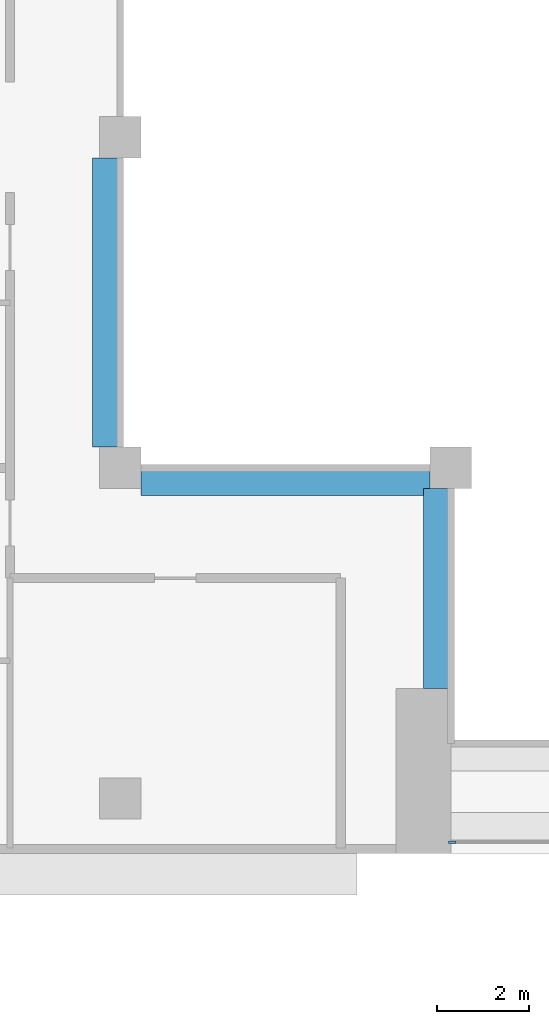
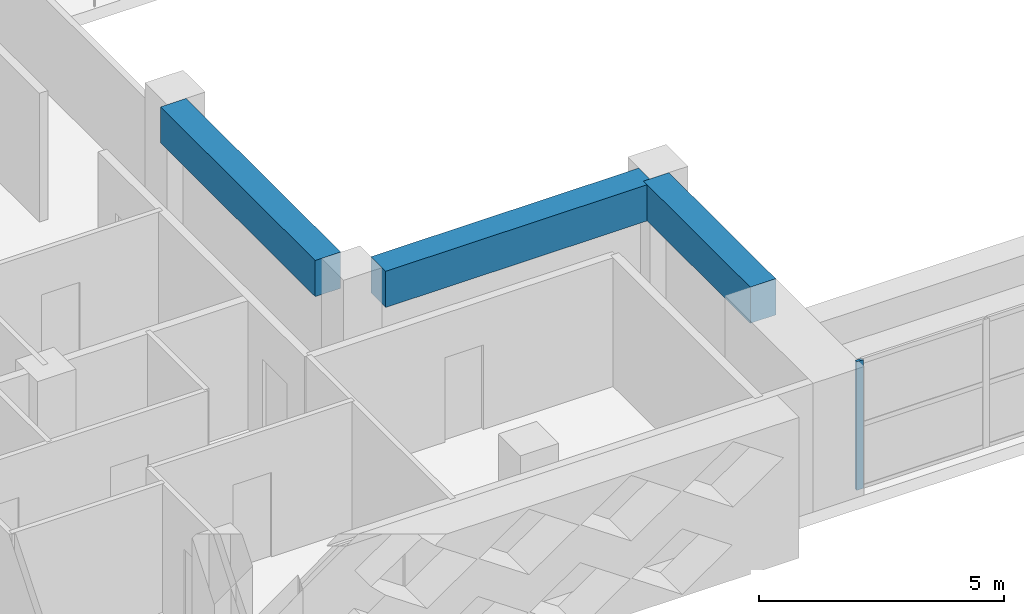
# One storey, part 2 of 20: 3 beams, 1 member, 1 element without a shape of its own.
"""IFC4 building model written with IfcOpenShell, lengths in metres."""

from ifc_helpers import new_model, si_unit, direction, frame, origin, origin_2d, place, context, subcontext, project, spatial, rectangle, extrude, source, transform, mapped, material, layer, layer_set, material_profile, profile_set, type_object, element, aggregate, save


model = new_model("IFC4")

# Units and contexts
model_context = context("Model", 3, precision=1e-05, world=origin(), true_north=direction((0.0, 1.0)))
body_context = subcontext(model_context, "Body", "Model", "MODEL_VIEW")
ifc_project = project(units=[si_unit("LENGTHUNIT", "METRE"), si_unit("AREAUNIT", "SQUARE_METRE"), si_unit("VOLUMEUNIT", "CUBIC_METRE"), si_unit("PLANEANGLEUNIT", "RADIAN"), si_unit("MASSUNIT", "GRAM", prefix="KILO")], contexts=[model_context])

# Site, building, storey
site_placement = place(None, origin())
site = spatial("IfcSite", under=ifc_project, at=site_placement, CompositionType="ELEMENT")
building_placement = place(site_placement, origin())
building = spatial("IfcBuilding", under=site, at=building_placement, Name="Saffron Iwan Residences", CompositionType="ELEMENT")
storey_placement = place(building_placement, frame((0.0, 0.0, 185.0)))
storey = spatial("IfcBuildingStorey", under=building, at=storey_placement, Name="L49", CompositionType="ELEMENT", Elevation=185.0)

# Beams
ifc_material_1 = material(Name="Concrete C50/60", Category="concrete")
ifc_material_profile_1 = material_profile(ifc_material_1, rectangle(XDim=0.60009765625, YDim=0.89990234375, at=origin_2d()), Name="RC 600x900")
ifc_profile_set_1 = profile_set([ifc_material_profile_1], Name="Concrete C50/60")
beam_type = type_object("IfcBeamType", Name="BEAM RC 600x900 C50/60 TOP 3200", PredefinedType="BEAM", material=ifc_profile_set_1)
shared_shape_1 = source(origin(), body_context, "Body", "SweptSolid", [
    extrude(rectangle(XDim=0.60009765625, YDim=0.89990234375, at=origin_2d()), origin(), (0.0, 0.0, 1.0), 4.35009765625),
])
beam_placement = place(storey_placement, frame((42.89990234375, 43.199951171875, 2.75), z_axis=(0.0, 1.0, 0.0), x_axis=(-1.0, 0.0, 0.0)))
element("IfcBeam", 1, at=beam_placement, inside=storey, type_object=beam_type, Name="Atrium edge beam", PredefinedType="BEAM", context=body_context, shape_type="MappedRepresentation", body=[
    mapped(shared_shape_1, transform((0.0, 0.0, 0.0))),
])
shared_shape_2 = source(origin(), body_context, "Body", "SweptSolid", [
    extrude(rectangle(XDim=0.60009765625, YDim=0.89990234375, at=origin_2d()), origin(), (0.0, 0.0, 1.0), 6.300048828125),
])
for number, where, z_axis, x_axis, name in (
    (2, (42.75, 47.699951171875, 2.75), (-1.0, 0.0, 0.0), (0.0, -1.0, 0.0), "Atrium edge beam"),
    (3, (35.699951171875, 48.449951171875, 2.75), (0.0, 1.0, 0.0), (-1.0, 0.0, 0.0), "Atrium edge beam"),
):
    element("IfcBeam", number, at=place(storey_placement, frame(where, z_axis=z_axis, x_axis=x_axis)), inside=storey, type_object=beam_type, Name=name, PredefinedType="BEAM", context=body_context, shape_type="MappedRepresentation", body=[
        mapped(shared_shape_2, transform((0.0, 0.0, 0.0))),
    ])

# Curtain wall, member
ifc_material_2 = material(Name="Clear glass, laminated double glazed", Category="glass")
ifc_layer = layer(ifc_material_2, 0.199951171875)
ifc_layer_set = layer_set([ifc_layer], Name="Clear glass, laminated double glazed")
curtain_wall_type = type_object("IfcCurtainWallType", Name="CW-B IWAN PORTAL", PredefinedType="NOTDEFINED", material=ifc_layer_set)
curtain_wall_placement = place(storey_placement, origin())
curtain_wall = element("IfcCurtainWall", 4, at=curtain_wall_placement, inside=storey, type_object=curtain_wall_type, Name="Iwan portal glazing L49.1", PredefinedType="NOTDEFINED")
ifc_material_3 = material(Name="Aluminium 6063-T6", Category="aluminium")
ifc_material_profile_2 = material_profile(ifc_material_3, rectangle(XDim=0.06005859375, YDim=0.159912109375, at=origin_2d()), Name="CW-B MULLION 60 x 160")
ifc_profile_set_2 = profile_set([ifc_material_profile_2], Name="Aluminium 6063-T6")
member_type = type_object("IfcMemberType", Name="CW-B MULLION 60 x 160", PredefinedType="MULLION", material=ifc_profile_set_2)
shared_shape_3 = source(origin(), body_context, "Body", "SweptSolid", [
    extrude(rectangle(XDim=0.06005859375, YDim=0.159912109375, at=origin_2d()), origin(), (0.0, 0.0, 1.0), 3.199951171875),
])
member_placement = place(storey_placement, frame((43.22998046875, 39.85009765625, 0.0), z_axis=(0.0, 0.0, 1.0), x_axis=(0.0, 1.0, 0.0)))
member = element("IfcMember", 5, at=member_placement, type_object=member_type, Name="CW-B mullion 1", PredefinedType="MULLION", context=body_context, shape_type="MappedRepresentation", body=[
    mapped(shared_shape_3, transform((0.0, 0.0, 0.0))),
])
aggregate(curtain_wall, [member])

save(model, "model.ifc")
